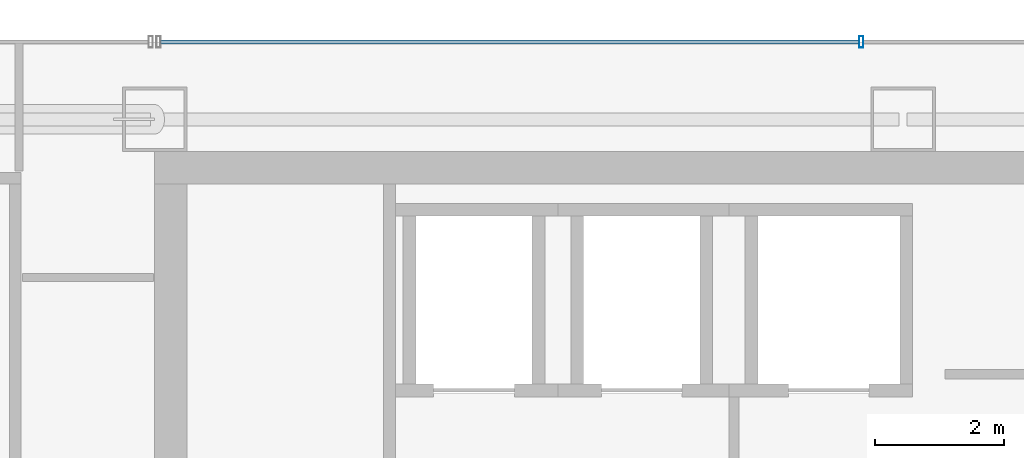
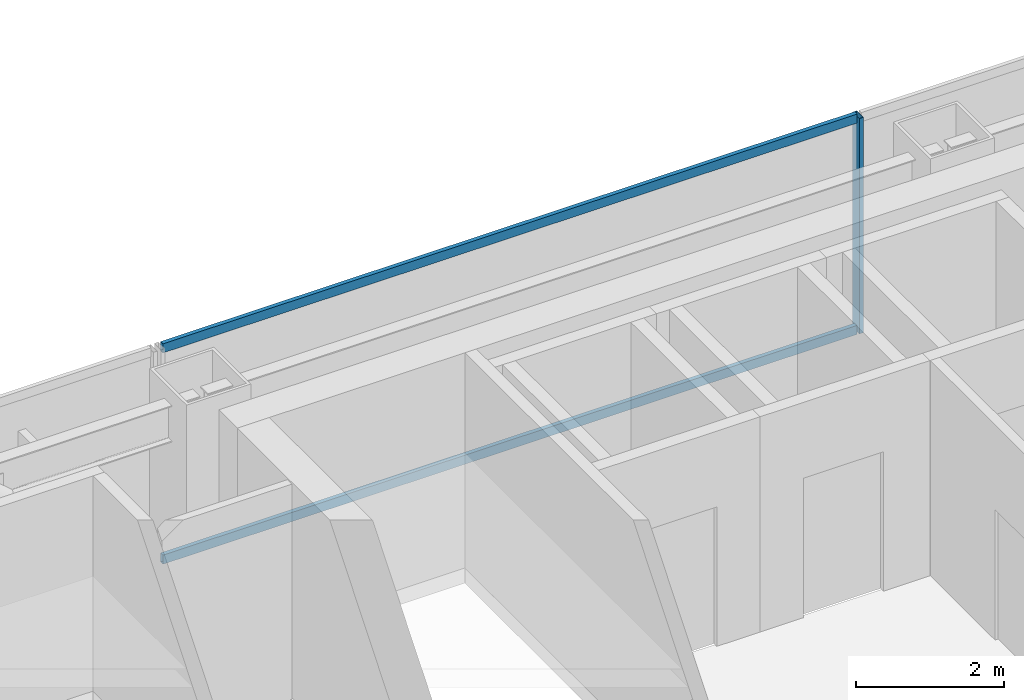
# One storey, part 23 of 37: 3 members, 1 element without a shape of its own.
"""IFC4 building model written with IfcOpenShell, lengths in metres."""

import ifcopenshell
import ifcopenshell.guid

model = None  # the IFC model being written
_history = None  # IfcOwnerHistory: only IFC2X3 demands one
_inside = {}  # id of a spatial element -> (the spatial element, [elements in it])
_under = {}  # id of a project, library or spatial element -> (it, [spatial elements below it])
_declared = {}  # id of a project -> (the project, [libraries it declares])
_typed = {}  # id of a type object -> (the type object, [elements of that type])
_made_of = {}  # id of a material, layer set ... -> (it, [elements and type objects made of it])


def new_model(schema):
    """Start an empty IFC model of exactly this schema.

    Asked for "IFC4X3", IfcOpenShell would pick the latest addendum, in which some entities
    have other attributes; the version numbers below select the first issue.
    IFC2X3 requires an IfcOwnerHistory on every rooted entity: one is made here for all.
    """
    global model, _history
    if schema == "IFC4X3":
        model = ifcopenshell.file(schema_version=(4, 3, 0, 0))
    else:
        model = ifcopenshell.file(schema=schema)
    _inside.clear()
    _under.clear()
    _declared.clear()
    _typed.clear()
    _made_of.clear()
    _history = None
    if model.schema == "IFC2X3":
        org = make("IfcOrganization", Name="unknown")
        user = make(
            "IfcPersonAndOrganization",
            ThePerson=make("IfcPerson", FamilyName="unknown"),
            TheOrganization=org,
        )
        app = make(
            "IfcApplication",
            ApplicationDeveloper=org,
            Version="unknown",
            ApplicationFullName="unknown",
            ApplicationIdentifier="unknown",
        )
        _history = make(
            "IfcOwnerHistory",
            OwningUser=user,
            OwningApplication=app,
            ChangeAction="ADDED",
            CreationDate=0,
        )
    return model


def make(cls, **values):
    """One entity of the class cls with the attributes given. An attribute that is None is left unset."""
    return model.create_entity(
        cls, **{name: value for name, value in values.items() if value is not None}
    )


def rooted(cls, **values):
    """An entity with a GlobalId (a new one), such as an element, a storey or a relation."""
    return make(cls, GlobalId=ifcopenshell.guid.new(), OwnerHistory=_history, **values)


def si_unit(unit_type, name, prefix=None):
    """IfcSIUnit, for example si_unit("LENGTHUNIT", "METRE", prefix="MILLI")."""
    return make("IfcSIUnit", UnitType=unit_type, Prefix=prefix, Name=name)


def assignment(units):
    """IfcUnitAssignment: the units of a project."""
    return None if units is None else make("IfcUnitAssignment", Units=units)


def point(xyz):
    """IfcCartesianPoint."""
    return None if xyz is None else make("IfcCartesianPoint", Coordinates=xyz)


def direction(xyz):
    """IfcDirection."""
    return None if xyz is None else make("IfcDirection", DirectionRatios=xyz)


def frame(location, z_axis=None, x_axis=None):
    """IfcAxis2Placement3D, a coordinate frame: its origin and axes. An axis left out is left unset."""
    return make(
        "IfcAxis2Placement3D",
        Location=point(location),
        Axis=direction(z_axis),
        RefDirection=direction(x_axis),
    )


def frame_2d(location, x_axis=None):
    """IfcAxis2Placement2D, a coordinate frame in the plane: its origin and x axis."""
    return make(
        "IfcAxis2Placement2D", Location=point(location), RefDirection=direction(x_axis)
    )


def origin():
    """The frame at (0, 0, 0) with its axes left unset."""
    return frame((0.0, 0.0, 0.0))


def origin_2d():
    """The frame at (0, 0) in the plane with its x axis left unset."""
    return frame_2d((0.0, 0.0))


def place(relative_to, where):
    """IfcLocalPlacement: puts the frame where relative to a parent placement (None: the world)."""
    return make(
        "IfcLocalPlacement", PlacementRelTo=relative_to, RelativePlacement=where
    )


def context(
    kind, dimensions, precision=None, world=None, true_north=None, identifier=None
):
    """IfcGeometricRepresentationContext, for example the 3D "Model" context."""
    return make(
        "IfcGeometricRepresentationContext",
        ContextIdentifier=identifier,
        ContextType=kind,
        CoordinateSpaceDimension=dimensions,
        Precision=precision,
        WorldCoordinateSystem=world,
        TrueNorth=true_north,
    )


def subcontext(parent, identifier, kind, view, scale=None):
    """IfcGeometricRepresentationSubContext, for example "Body" below "Model"."""
    return make(
        "IfcGeometricRepresentationSubContext",
        ContextIdentifier=identifier,
        ContextType=kind,
        ParentContext=parent,
        TargetScale=scale,
        TargetView=view,
    )


def project(units=None, contexts=None):
    """IfcProject with its units and contexts."""
    return rooted(
        "IfcProject",
        Name="project",
        RepresentationContexts=contexts,
        UnitsInContext=assignment(units),
    )


def spatial(cls, under=None, at=None, **own):
    """A site, building, storey or space (cls), placed at a placement, below another one or the project."""
    s = rooted(cls, ObjectPlacement=at, **own)
    if under is not None:
        _under.setdefault(under.id(), (under, []))[1].append(s)
    return s


def profile(cls, at=None, kind="AREA", **sizes):
    """A parametric profile (cls). Its sizes go by their IFC names, for example OverallWidth=200.0."""
    return make(cls, ProfileType=kind, Position=at, **sizes)


def hollow_rectangle(**sizes):
    """IfcRectangleHollowProfileDef."""
    return profile("IfcRectangleHollowProfileDef", **sizes)


def extrude(swept, where, along, depth):
    """IfcExtrudedAreaSolid: the profile swept, set in the frame where, extruded along a direction by depth."""
    return make(
        "IfcExtrudedAreaSolid",
        SweptArea=swept,
        Position=where,
        ExtrudedDirection=direction(along),
        Depth=depth,
    )


def shape(context_of_items, identifier, shape_type, items):
    """IfcShapeRepresentation: the items that make up one representation, for example the "Body"."""
    return make(
        "IfcShapeRepresentation",
        ContextOfItems=context_of_items,
        RepresentationIdentifier=identifier,
        RepresentationType=shape_type,
        Items=items,
    )


def material(Name=None, Category=None):
    """IfcMaterial."""
    return make("IfcMaterial", Name=Name, Category=Category)


def material_profile(
    of_material, cross_section, Name=None, Category=None, Priority=None
):
    """IfcMaterialProfile: a cross section and its material."""
    return make(
        "IfcMaterialProfile",
        Name=Name,
        Material=of_material,
        Profile=cross_section,
        Priority=Priority,
        Category=Category,
    )


def profile_set(profiles, Name=None, composite=None):
    """IfcMaterialProfileSet."""
    return make(
        "IfcMaterialProfileSet",
        Name=Name,
        MaterialProfiles=profiles,
        CompositeProfile=composite,
    )


def made_of(thing, what):
    """Note that an element or type object is made of a material, layer set ...; save() writes the relation."""
    if what is not None:
        _made_of.setdefault(what.id(), (what, []))[1].append(thing)
    return thing


def type_object(cls, material=None, **own):
    """A type object (cls), such as IfcWallType, which elements share."""
    return made_of(rooted(cls, **own), material)


def element(
    cls,
    number,
    at=None,
    inside=None,
    cuts=None,
    type_object=None,
    material=None,
    context=None,
    identifier="Body",
    shape_type=None,
    held_by="IfcProductDefinitionShape",
    body=None,
    shapes=None,
    **own,
):
    """One element of the class cls, such as IfcWall. Its Tag is "e" and its number.

    at: its placement. inside: the storey or other place that contains it. cuts: it is an
    opening in that element (IfcRelVoidsElement). A single representation is given by context,
    identifier, shape_type and body (its items); several are given by shapes. held_by: the class
    of the entity that holds the representations. save() writes the other relations.
    """
    e = rooted(cls, Tag="e%d" % number, ObjectPlacement=at, **own)
    if body is not None:
        shapes = [shape(context, identifier, shape_type, body)]
    if shapes is not None:
        e.Representation = make(held_by, Representations=shapes)
    if inside is not None:
        _inside.setdefault(inside.id(), (inside, []))[1].append(e)
    if cuts is not None:
        rooted(
            "IfcRelVoidsElement", RelatingBuildingElement=cuts, RelatedOpeningElement=e
        )
    if type_object is not None:
        _typed.setdefault(type_object.id(), (type_object, []))[1].append(e)
    return made_of(e, material)


def aggregate(whole, parts):
    """IfcRelAggregates: a whole, such as a stair, and the parts it consists of."""
    return rooted("IfcRelAggregates", RelatingObject=whole, RelatedObjects=parts)


def save(model, path):
    """Write the relations noted so far, then the file.

    IfcRelAggregates (storeys below a building ...), IfcRelContainedInSpatialStructure (elements
    in a storey), IfcRelDefinesByType, IfcRelAssociatesMaterial and IfcRelDeclares: one each for
    every whole, place, type object, material and project.
    """
    for whole, parts in _under.values():
        aggregate(whole, parts)
    for where, things in _inside.values():
        rooted(
            "IfcRelContainedInSpatialStructure",
            RelatedElements=things,
            RelatingStructure=where,
        )
    for kind, things in _typed.values():
        rooted("IfcRelDefinesByType", RelatedObjects=things, RelatingType=kind)
    for what, things in _made_of.values():
        rooted("IfcRelAssociatesMaterial", RelatedObjects=things, RelatingMaterial=what)
    for by, libraries in _declared.values():
        rooted("IfcRelDeclares", RelatingContext=by, RelatedDefinitions=libraries)
    model.write(path)


model = new_model("IFC4")

# Units and contexts
model_context = context("Model", 3, precision=1e-05, world=origin(), true_north=direction((0.0, 1.0)))
body_context = subcontext(model_context, "Body", "Model", "MODEL_VIEW")
ifc_project = project(units=[si_unit("LENGTHUNIT", "METRE"), si_unit("AREAUNIT", "SQUARE_METRE"), si_unit("VOLUMEUNIT", "CUBIC_METRE"), si_unit("PLANEANGLEUNIT", "RADIAN"), si_unit("MASSUNIT", "GRAM", prefix="KILO")], contexts=[model_context])

# Site, building, storey
site_placement = place(None, origin())
site = spatial("IfcSite", under=ifc_project, at=site_placement, CompositionType="ELEMENT")
building_placement = place(site_placement, origin())
building = spatial("IfcBuilding", under=site, at=building_placement, Name="Saevonmaru Cultural Tower", CompositionType="ELEMENT")
storey_placement = place(building_placement, frame((0.0, 0.0, 141.0)))
storey = spatial("IfcBuildingStorey", under=building, at=storey_placement, Name="L30", CompositionType="ELEMENT", Elevation=141.0)

# Curtain wall, members
ifc_material = material(Name="Satin Bronze Anodised Aluminium", Category="aluminium")
curtain_wall_type = type_object("IfcCurtainWallType", Name="CW-TYP-A", PredefinedType="NOTDEFINED", material=ifc_material)
curtain_wall_placement = place(storey_placement, origin())
curtain_wall = element("IfcCurtainWall", 1, at=curtain_wall_placement, inside=storey, type_object=curtain_wall_type, Name="L30 North Spine Unitised Curtain Wall E10B", PredefinedType="NOTDEFINED")
ifc_material_profile_1 = material_profile(ifc_material, hollow_rectangle(XDim=0.06494140625, YDim=0.179931640625, WallThickness=0.00390625, at=origin_2d()), Name="ALU-MULL-180x65x4")
ifc_profile_set_1 = profile_set([ifc_material_profile_1], Name="Satin Bronze Anodised Aluminium")
member_type_1 = type_object("IfcMemberType", Name="ML-CW-180x65", PredefinedType="MULLION", material=ifc_profile_set_1)
member_1_placement = place(storey_placement, frame((24.55322265625, 56.0, 0.0), z_axis=(0.0, 0.0, 1.0), x_axis=(-1.0, 0.0, 0.0)))
member_1 = element("IfcMember", 2, at=member_1_placement, type_object=member_type_1, Name="CW-TW-L30-E10B mullion 3", PredefinedType="MULLION", context=body_context, shape_type="SweptSolid", body=[
    extrude(hollow_rectangle(XDim=0.06494140625, YDim=0.179931640625, WallThickness=0.00390625, at=origin_2d()), origin(), (0.0, 0.0, 1.0), 3.550048828125),
])
ifc_material_profile_2 = material_profile(ifc_material, hollow_rectangle(XDim=0.06494140625, YDim=0.14990234375, WallThickness=0.00390625, at=origin_2d()), Name="ALU-TRAN-150x65x4")
ifc_profile_set_2 = profile_set([ifc_material_profile_2], Name="Satin Bronze Anodised Aluminium")
member_type_2 = type_object("IfcMemberType", Name="TR-CW-150x65", PredefinedType="USERDEFINED", material=ifc_profile_set_2)
member_2_placement = place(storey_placement, frame((24.520751953125, 56.0, 0.032470703125), z_axis=(-1.0, 0.0, 0.0), x_axis=(0.0, -1.0, 0.0)))
member_2 = element("IfcMember", 3, at=member_2_placement, type_object=member_type_2, Name="CW-TW-L30-E10B transom 3.1", ObjectType="TRANSOM", PredefinedType="USERDEFINED", context=body_context, shape_type="SweptSolid", body=[
    extrude(hollow_rectangle(XDim=0.06494140625, YDim=0.14990234375, WallThickness=0.00390625, at=origin_2d()), origin(), (0.0, 0.0, 1.0), 10.828369140625),
])
member_3_placement = place(storey_placement, frame((24.520751953125, 56.0, 3.517578125), z_axis=(-1.0, 0.0, 0.0), x_axis=(0.0, -1.0, 0.0)))
member_3 = element("IfcMember", 4, at=member_3_placement, type_object=member_type_2, Name="CW-TW-L30-E10B transom 3.2", ObjectType="TRANSOM", PredefinedType="USERDEFINED", context=body_context, shape_type="SweptSolid", body=[
    extrude(hollow_rectangle(XDim=0.06494140625, YDim=0.14990234375, WallThickness=0.00390625, at=origin_2d()), origin(), (0.0, 0.0, 1.0), 10.828369140625),
])
aggregate(curtain_wall, [member_1, member_2, member_3])

save(model, "model.ifc")
